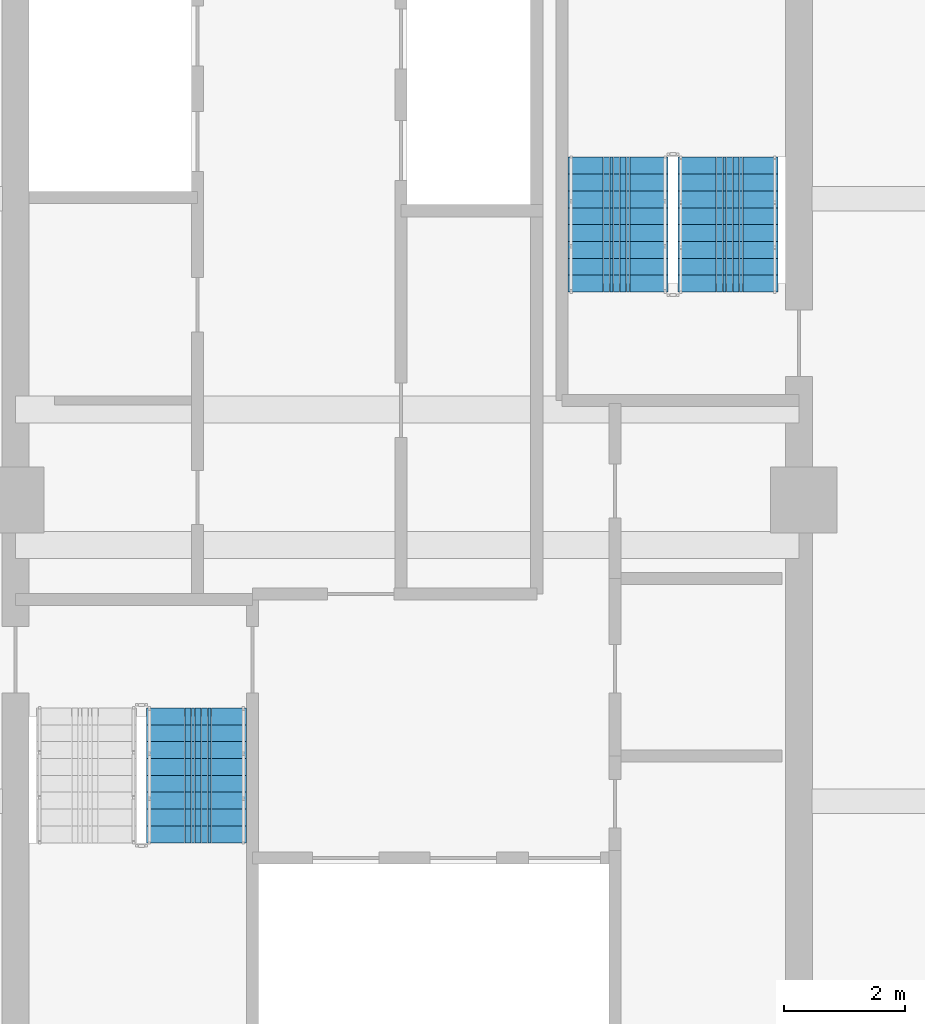
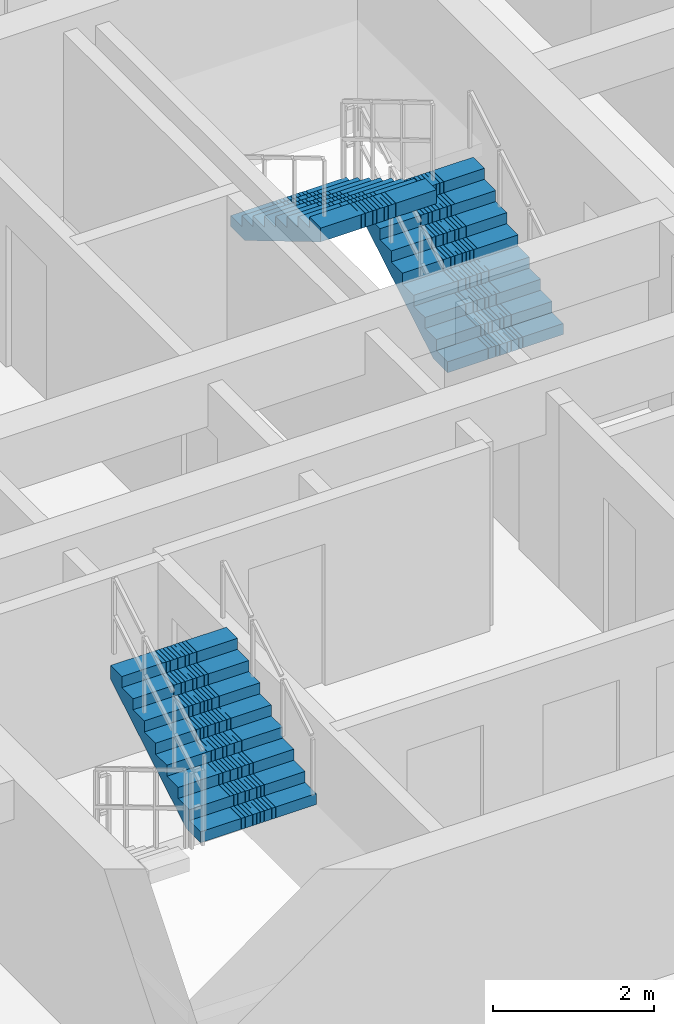
# One storey, part 8 of 13: 3 stair flights, 2 elements without a shape of their own.
"""IFC4 building model written with IfcOpenShell, lengths in metres."""

import ifcopenshell
import ifcopenshell.guid

model = None  # the IFC model being written
_history = None  # IfcOwnerHistory: only IFC2X3 demands one
_inside = {}  # id of a spatial element -> (the spatial element, [elements in it])
_under = {}  # id of a project, library or spatial element -> (it, [spatial elements below it])
_declared = {}  # id of a project -> (the project, [libraries it declares])
_typed = {}  # id of a type object -> (the type object, [elements of that type])
_made_of = {}  # id of a material, layer set ... -> (it, [elements and type objects made of it])


def new_model(schema):
    """Start an empty IFC model of exactly this schema.

    Asked for "IFC4X3", IfcOpenShell would pick the latest addendum, in which some entities
    have other attributes; the version numbers below select the first issue.
    IFC2X3 requires an IfcOwnerHistory on every rooted entity: one is made here for all.
    """
    global model, _history
    if schema == "IFC4X3":
        model = ifcopenshell.file(schema_version=(4, 3, 0, 0))
    else:
        model = ifcopenshell.file(schema=schema)
    _inside.clear()
    _under.clear()
    _declared.clear()
    _typed.clear()
    _made_of.clear()
    _history = None
    if model.schema == "IFC2X3":
        org = make("IfcOrganization", Name="unknown")
        user = make(
            "IfcPersonAndOrganization",
            ThePerson=make("IfcPerson", FamilyName="unknown"),
            TheOrganization=org,
        )
        app = make(
            "IfcApplication",
            ApplicationDeveloper=org,
            Version="unknown",
            ApplicationFullName="unknown",
            ApplicationIdentifier="unknown",
        )
        _history = make(
            "IfcOwnerHistory",
            OwningUser=user,
            OwningApplication=app,
            ChangeAction="ADDED",
            CreationDate=0,
        )
    return model


def make(cls, **values):
    """One entity of the class cls with the attributes given. An attribute that is None is left unset."""
    return model.create_entity(
        cls, **{name: value for name, value in values.items() if value is not None}
    )


def rooted(cls, **values):
    """An entity with a GlobalId (a new one), such as an element, a storey or a relation."""
    return make(cls, GlobalId=ifcopenshell.guid.new(), OwnerHistory=_history, **values)


def si_unit(unit_type, name, prefix=None):
    """IfcSIUnit, for example si_unit("LENGTHUNIT", "METRE", prefix="MILLI")."""
    return make("IfcSIUnit", UnitType=unit_type, Prefix=prefix, Name=name)


def assignment(units):
    """IfcUnitAssignment: the units of a project."""
    return None if units is None else make("IfcUnitAssignment", Units=units)


def point(xyz):
    """IfcCartesianPoint."""
    return None if xyz is None else make("IfcCartesianPoint", Coordinates=xyz)


def direction(xyz):
    """IfcDirection."""
    return None if xyz is None else make("IfcDirection", DirectionRatios=xyz)


def frame(location, z_axis=None, x_axis=None):
    """IfcAxis2Placement3D, a coordinate frame: its origin and axes. An axis left out is left unset."""
    return make(
        "IfcAxis2Placement3D",
        Location=point(location),
        Axis=direction(z_axis),
        RefDirection=direction(x_axis),
    )


def origin():
    """The frame at (0, 0, 0) with its axes left unset."""
    return frame((0.0, 0.0, 0.0))


def place(relative_to, where):
    """IfcLocalPlacement: puts the frame where relative to a parent placement (None: the world)."""
    return make(
        "IfcLocalPlacement", PlacementRelTo=relative_to, RelativePlacement=where
    )


def context(
    kind, dimensions, precision=None, world=None, true_north=None, identifier=None
):
    """IfcGeometricRepresentationContext, for example the 3D "Model" context."""
    return make(
        "IfcGeometricRepresentationContext",
        ContextIdentifier=identifier,
        ContextType=kind,
        CoordinateSpaceDimension=dimensions,
        Precision=precision,
        WorldCoordinateSystem=world,
        TrueNorth=true_north,
    )


def subcontext(parent, identifier, kind, view, scale=None):
    """IfcGeometricRepresentationSubContext, for example "Body" below "Model"."""
    return make(
        "IfcGeometricRepresentationSubContext",
        ContextIdentifier=identifier,
        ContextType=kind,
        ParentContext=parent,
        TargetScale=scale,
        TargetView=view,
    )


def project(units=None, contexts=None):
    """IfcProject with its units and contexts."""
    return rooted(
        "IfcProject",
        Name="project",
        RepresentationContexts=contexts,
        UnitsInContext=assignment(units),
    )


def spatial(cls, under=None, at=None, **own):
    """A site, building, storey or space (cls), placed at a placement, below another one or the project."""
    s = rooted(cls, ObjectPlacement=at, **own)
    if under is not None:
        _under.setdefault(under.id(), (under, []))[1].append(s)
    return s


def polyline(points):
    """IfcPolyline through the points."""
    return make("IfcPolyline", Points=[point(p) for p in points])


def outline(outer, holes=None, kind="AREA"):
    """IfcArbitraryClosedProfileDef: a profile drawn as a closed curve; with holes, ...WithVoids."""
    if holes is None:
        return make("IfcArbitraryClosedProfileDef", ProfileType=kind, OuterCurve=outer)
    return make(
        "IfcArbitraryProfileDefWithVoids",
        ProfileType=kind,
        OuterCurve=outer,
        InnerCurves=holes,
    )


def extrude(swept, where, along, depth):
    """IfcExtrudedAreaSolid: the profile swept, set in the frame where, extruded along a direction by depth."""
    return make(
        "IfcExtrudedAreaSolid",
        SweptArea=swept,
        Position=where,
        ExtrudedDirection=direction(along),
        Depth=depth,
    )


def shape(context_of_items, identifier, shape_type, items):
    """IfcShapeRepresentation: the items that make up one representation, for example the "Body"."""
    return make(
        "IfcShapeRepresentation",
        ContextOfItems=context_of_items,
        RepresentationIdentifier=identifier,
        RepresentationType=shape_type,
        Items=items,
    )


def material(Name=None, Category=None):
    """IfcMaterial."""
    return make("IfcMaterial", Name=Name, Category=Category)


def made_of(thing, what):
    """Note that an element or type object is made of a material, layer set ...; save() writes the relation."""
    if what is not None:
        _made_of.setdefault(what.id(), (what, []))[1].append(thing)
    return thing


def type_object(cls, material=None, **own):
    """A type object (cls), such as IfcWallType, which elements share."""
    return made_of(rooted(cls, **own), material)


def element(
    cls,
    number,
    at=None,
    inside=None,
    cuts=None,
    type_object=None,
    material=None,
    context=None,
    identifier="Body",
    shape_type=None,
    held_by="IfcProductDefinitionShape",
    body=None,
    shapes=None,
    **own,
):
    """One element of the class cls, such as IfcWall. Its Tag is "e" and its number.

    at: its placement. inside: the storey or other place that contains it. cuts: it is an
    opening in that element (IfcRelVoidsElement). A single representation is given by context,
    identifier, shape_type and body (its items); several are given by shapes. held_by: the class
    of the entity that holds the representations. save() writes the other relations.
    """
    e = rooted(cls, Tag="e%d" % number, ObjectPlacement=at, **own)
    if body is not None:
        shapes = [shape(context, identifier, shape_type, body)]
    if shapes is not None:
        e.Representation = make(held_by, Representations=shapes)
    if inside is not None:
        _inside.setdefault(inside.id(), (inside, []))[1].append(e)
    if cuts is not None:
        rooted(
            "IfcRelVoidsElement", RelatingBuildingElement=cuts, RelatedOpeningElement=e
        )
    if type_object is not None:
        _typed.setdefault(type_object.id(), (type_object, []))[1].append(e)
    return made_of(e, material)


def aggregate(whole, parts):
    """IfcRelAggregates: a whole, such as a stair, and the parts it consists of."""
    return rooted("IfcRelAggregates", RelatingObject=whole, RelatedObjects=parts)


def save(model, path):
    """Write the relations noted so far, then the file.

    IfcRelAggregates (storeys below a building ...), IfcRelContainedInSpatialStructure (elements
    in a storey), IfcRelDefinesByType, IfcRelAssociatesMaterial and IfcRelDeclares: one each for
    every whole, place, type object, material and project.
    """
    for whole, parts in _under.values():
        aggregate(whole, parts)
    for where, things in _inside.values():
        rooted(
            "IfcRelContainedInSpatialStructure",
            RelatedElements=things,
            RelatingStructure=where,
        )
    for kind, things in _typed.values():
        rooted("IfcRelDefinesByType", RelatedObjects=things, RelatingType=kind)
    for what, things in _made_of.values():
        rooted("IfcRelAssociatesMaterial", RelatedObjects=things, RelatingMaterial=what)
    for by, libraries in _declared.values():
        rooted("IfcRelDeclares", RelatingContext=by, RelatedDefinitions=libraries)
    model.write(path)


model = new_model("IFC4")

# Units and contexts
model_context = context("Model", 3, precision=1e-05, world=origin(), true_north=direction((0.0, 1.0)))
body_context = subcontext(model_context, "Body", "Model", "MODEL_VIEW")
ifc_project = project(units=[si_unit("LENGTHUNIT", "METRE"), si_unit("AREAUNIT", "SQUARE_METRE"), si_unit("VOLUMEUNIT", "CUBIC_METRE"), si_unit("PLANEANGLEUNIT", "RADIAN"), si_unit("MASSUNIT", "GRAM", prefix="KILO")], contexts=[model_context])

# Site, building, storey
site_placement = place(None, origin())
site = spatial("IfcSite", under=ifc_project, at=site_placement, CompositionType="ELEMENT")
building_placement = place(site_placement, origin())
building = spatial("IfcBuilding", under=site, at=building_placement, Name="Saelheon Loggia Tower", CompositionType="ELEMENT")
storey_placement = place(building_placement, frame((0.0, 0.0, 199.60009765625)))
storey = spatial("IfcBuildingStorey", under=building, at=storey_placement, Name="L62", CompositionType="ELEMENT", Elevation=199.60009765625)

# Stair, stair flight
ifc_material = material(Name="Concrete C40/50", Category="concrete")
stair_type = type_object("IfcStairType", Name="Stair_Escape_Core", PredefinedType="HALF_TURN_STAIR", material=ifc_material)
stair_1_placement = place(storey_placement, origin())
stair_1 = element("IfcStair", 1, at=stair_1_placement, inside=storey, type_object=stair_type, Name="L62 Special Escape Stair ST1", PredefinedType="HALF_TURN_STAIR")
stair_flight_type = type_object("IfcStairFlightType", Name="StairFlight_Tower_1660", PredefinedType="STRAIGHT", material=ifc_material)
stair_flight_1_placement = place(storey_placement, frame((34.5, 21.31005859375, 1.5), z_axis=(0.0, 0.0, 1.0), x_axis=(0.0, 1.0, 0.0)))
stair_flight_1 = element("IfcStairFlight", 2, at=stair_flight_1_placement, type_object=stair_flight_type, Name="ST1 flight 2", NumberOfRisers=9, NumberOfTreads=8, PredefinedType="STRAIGHT", RiserHeight=0.166666667, TreadLength=0.28, context=body_context, shape_type="SweptSolid", body=[
    extrude(outline(polyline([(0.0, 0.0), (0.0, 0.166748046875), (0.280029296875, 0.166748046875), (0.280029296875, 0.333251953125), (0.56005859375, 0.333251953125), (0.56005859375, 0.5), (0.840087890625, 0.5), (0.840087890625, 0.666748046875), (1.1201171875, 0.666748046875), (1.1201171875, 0.833251953125), (1.39990234375, 0.833251953125), (1.39990234375, 1.0), (1.679931640625, 1.0), (1.679931640625, 1.166748046875), (1.9599609375, 1.166748046875), (1.9599609375, 1.333251953125), (2.239990234375, 1.333251953125), (2.239990234375, 1.5), (2.239990234375, 1.1240234375), (0.351806640625, 0.0), (0.0, 0.0)])), frame((0.0, -0.2490234375, 0.0), z_axis=(0.0, -1.0, 0.0), x_axis=(1.0, 0.0, 0.0)), (0.0, 0.0, 1.0), 0.5810546875),
    extrude(outline(polyline([(0.0, 0.0), (0.0, 0.166748046875), (0.280029296875, 0.166748046875), (0.280029296875, 0.333251953125), (0.56005859375, 0.333251953125), (0.56005859375, 0.5), (0.840087890625, 0.5), (0.840087890625, 0.666748046875), (1.1201171875, 0.666748046875), (1.1201171875, 0.833251953125), (1.39990234375, 0.833251953125), (1.39990234375, 1.0), (1.679931640625, 1.0), (1.679931640625, 1.166748046875), (1.9599609375, 1.166748046875), (1.9599609375, 1.333251953125), (2.239990234375, 1.333251953125), (2.239990234375, 1.5), (2.239990234375, 1.1240234375), (0.351806640625, 0.0), (0.0, 0.0)])), frame((0.0, -0.194091796875, 0.0), z_axis=(0.0, -1.0, 0.0), x_axis=(1.0, 0.0, 0.0)), (0.0, 0.0, 1.0), 0.0498046875),
    extrude(outline(polyline([(0.0, 0.0), (0.0, 0.166748046875), (0.280029296875, 0.166748046875), (0.280029296875, 0.333251953125), (0.56005859375, 0.333251953125), (0.56005859375, 0.5), (0.840087890625, 0.5), (0.840087890625, 0.666748046875), (1.1201171875, 0.666748046875), (1.1201171875, 0.833251953125), (1.39990234375, 0.833251953125), (1.39990234375, 1.0), (1.679931640625, 1.0), (1.679931640625, 1.166748046875), (1.9599609375, 1.166748046875), (1.9599609375, 1.333251953125), (2.239990234375, 1.333251953125), (2.239990234375, 1.5), (2.239990234375, 1.1240234375), (0.351806640625, 0.0), (0.0, 0.0)])), frame((0.0, -0.139404296875, 0.0), z_axis=(0.0, -1.0, 0.0), x_axis=(1.0, 0.0, 0.0)), (0.0, 0.0, 1.0), 0.0498046875),
    extrude(outline(polyline([(0.0, 0.0), (0.0, 0.166748046875), (0.280029296875, 0.166748046875), (0.280029296875, 0.333251953125), (0.56005859375, 0.333251953125), (0.56005859375, 0.5), (0.840087890625, 0.5), (0.840087890625, 0.666748046875), (1.1201171875, 0.666748046875), (1.1201171875, 0.833251953125), (1.39990234375, 0.833251953125), (1.39990234375, 1.0), (1.679931640625, 1.0), (1.679931640625, 1.166748046875), (1.9599609375, 1.166748046875), (1.9599609375, 1.333251953125), (2.239990234375, 1.333251953125), (2.239990234375, 1.5), (2.239990234375, 1.1240234375), (0.351806640625, 0.0), (0.0, 0.0)])), frame((0.0, -0.084716796875, 0.0), z_axis=(0.0, -1.0, 0.0), x_axis=(1.0, 0.0, 0.0)), (0.0, 0.0, 1.0), 0.0498046875),
    extrude(outline(polyline([(0.0, 0.0), (0.0, 0.166748046875), (0.280029296875, 0.166748046875), (0.280029296875, 0.333251953125), (0.56005859375, 0.333251953125), (0.56005859375, 0.5), (0.840087890625, 0.5), (0.840087890625, 0.666748046875), (1.1201171875, 0.666748046875), (1.1201171875, 0.833251953125), (1.39990234375, 0.833251953125), (1.39990234375, 1.0), (1.679931640625, 1.0), (1.679931640625, 1.166748046875), (1.9599609375, 1.166748046875), (1.9599609375, 1.333251953125), (2.239990234375, 1.333251953125), (2.239990234375, 1.5), (2.239990234375, 1.1240234375), (0.351806640625, 0.0), (0.0, 0.0)])), frame((0.0, -0.02978515625, 0.0), z_axis=(0.0, -1.0, 0.0), x_axis=(1.0, 0.0, 0.0)), (0.0, 0.0, 1.0), 0.0498046875),
    extrude(outline(polyline([(0.0, 0.0), (0.0, 0.166748046875), (0.280029296875, 0.166748046875), (0.280029296875, 0.333251953125), (0.56005859375, 0.333251953125), (0.56005859375, 0.5), (0.840087890625, 0.5), (0.840087890625, 0.666748046875), (1.1201171875, 0.666748046875), (1.1201171875, 0.833251953125), (1.39990234375, 0.833251953125), (1.39990234375, 1.0), (1.679931640625, 1.0), (1.679931640625, 1.166748046875), (1.9599609375, 1.166748046875), (1.9599609375, 1.333251953125), (2.239990234375, 1.333251953125), (2.239990234375, 1.5), (2.239990234375, 1.1240234375), (0.351806640625, 0.0), (0.0, 0.0)])), frame((0.0, 0.02490234375, 0.0), z_axis=(0.0, -1.0, 0.0), x_axis=(1.0, 0.0, 0.0)), (0.0, 0.0, 1.0), 0.0498046875),
    extrude(outline(polyline([(0.0, 0.0), (0.0, 0.166748046875), (0.280029296875, 0.166748046875), (0.280029296875, 0.333251953125), (0.56005859375, 0.333251953125), (0.56005859375, 0.5), (0.840087890625, 0.5), (0.840087890625, 0.666748046875), (1.1201171875, 0.666748046875), (1.1201171875, 0.833251953125), (1.39990234375, 0.833251953125), (1.39990234375, 1.0), (1.679931640625, 1.0), (1.679931640625, 1.166748046875), (1.9599609375, 1.166748046875), (1.9599609375, 1.333251953125), (2.239990234375, 1.333251953125), (2.239990234375, 1.5), (2.239990234375, 1.1240234375), (0.351806640625, 0.0), (0.0, 0.0)])), frame((0.0, 0.07958984375, 0.0), z_axis=(0.0, -1.0, 0.0), x_axis=(1.0, 0.0, 0.0)), (0.0, 0.0, 1.0), 0.0498046875),
    extrude(outline(polyline([(0.0, 0.0), (0.0, 0.166748046875), (0.280029296875, 0.166748046875), (0.280029296875, 0.333251953125), (0.56005859375, 0.333251953125), (0.56005859375, 0.5), (0.840087890625, 0.5), (0.840087890625, 0.666748046875), (1.1201171875, 0.666748046875), (1.1201171875, 0.833251953125), (1.39990234375, 0.833251953125), (1.39990234375, 1.0), (1.679931640625, 1.0), (1.679931640625, 1.166748046875), (1.9599609375, 1.166748046875), (1.9599609375, 1.333251953125), (2.239990234375, 1.333251953125), (2.239990234375, 1.5), (2.239990234375, 1.1240234375), (0.351806640625, 0.0), (0.0, 0.0)])), frame((0.0, 0.134521484375, 0.0), z_axis=(0.0, -1.0, 0.0), x_axis=(1.0, 0.0, 0.0)), (0.0, 0.0, 1.0), 0.0498046875),
    extrude(outline(polyline([(0.0, 0.0), (0.0, 0.166748046875), (0.280029296875, 0.166748046875), (0.280029296875, 0.333251953125), (0.56005859375, 0.333251953125), (0.56005859375, 0.5), (0.840087890625, 0.5), (0.840087890625, 0.666748046875), (1.1201171875, 0.666748046875), (1.1201171875, 0.833251953125), (1.39990234375, 0.833251953125), (1.39990234375, 1.0), (1.679931640625, 1.0), (1.679931640625, 1.166748046875), (1.9599609375, 1.166748046875), (1.9599609375, 1.333251953125), (2.239990234375, 1.333251953125), (2.239990234375, 1.5), (2.239990234375, 1.1240234375), (0.351806640625, 0.0), (0.0, 0.0)])), frame((0.0, 0.189208984375, 0.0), z_axis=(0.0, -1.0, 0.0), x_axis=(1.0, 0.0, 0.0)), (0.0, 0.0, 1.0), 0.0498046875),
    extrude(outline(polyline([(0.0, 0.0), (0.0, 0.166748046875), (0.280029296875, 0.166748046875), (0.280029296875, 0.333251953125), (0.56005859375, 0.333251953125), (0.56005859375, 0.5), (0.840087890625, 0.5), (0.840087890625, 0.666748046875), (1.1201171875, 0.666748046875), (1.1201171875, 0.833251953125), (1.39990234375, 0.833251953125), (1.39990234375, 1.0), (1.679931640625, 1.0), (1.679931640625, 1.166748046875), (1.9599609375, 1.166748046875), (1.9599609375, 1.333251953125), (2.239990234375, 1.333251953125), (2.239990234375, 1.5), (2.239990234375, 1.1240234375), (0.351806640625, 0.0), (0.0, 0.0)])), frame((0.0, 0.243896484375, 0.0), z_axis=(0.0, -1.0, 0.0), x_axis=(1.0, 0.0, 0.0)), (0.0, 0.0, 1.0), 0.0498046875),
    extrude(outline(polyline([(0.0, 0.0), (0.0, 0.166748046875), (0.280029296875, 0.166748046875), (0.280029296875, 0.333251953125), (0.56005859375, 0.333251953125), (0.56005859375, 0.5), (0.840087890625, 0.5), (0.840087890625, 0.666748046875), (1.1201171875, 0.666748046875), (1.1201171875, 0.833251953125), (1.39990234375, 0.833251953125), (1.39990234375, 1.0), (1.679931640625, 1.0), (1.679931640625, 1.166748046875), (1.9599609375, 1.166748046875), (1.9599609375, 1.333251953125), (2.239990234375, 1.333251953125), (2.239990234375, 1.5), (2.239990234375, 1.1240234375), (0.351806640625, 0.0), (0.0, 0.0)])), frame((0.0, 0.830078125, 0.0), z_axis=(0.0, -1.0, 0.0), x_axis=(1.0, 0.0, 0.0)), (0.0, 0.0, 1.0), 0.5810546875),
])
aggregate(stair_1, [stair_flight_1])

# Stair, stair flights
stair_2_placement = place(storey_placement, origin())
stair_2 = element("IfcStair", 3, at=stair_2_placement, inside=storey, type_object=stair_type, Name="L62 Special Escape Stair ST2", PredefinedType="HALF_TURN_STAIR")
stair_flight_2_placement = place(storey_placement, frame((43.320068359375, 30.449951171875, 0.0), z_axis=(0.0, 0.0, 1.0), x_axis=(0.0, 1.0, 0.0)))
stair_flight_2 = element("IfcStairFlight", 4, at=stair_flight_2_placement, type_object=stair_flight_type, Name="ST2 flight 1", NumberOfRisers=9, NumberOfTreads=8, PredefinedType="STRAIGHT", RiserHeight=0.166666667, TreadLength=0.28, context=body_context, shape_type="SweptSolid", body=[
    extrude(outline(polyline([(0.0, 0.0), (0.0, 0.166748046875), (0.280029296875, 0.166748046875), (0.280029296875, 0.333251953125), (0.56005859375, 0.333251953125), (0.56005859375, 0.5), (0.840087890625, 0.5), (0.840087890625, 0.666748046875), (1.1201171875, 0.666748046875), (1.1201171875, 0.833251953125), (1.39990234375, 0.833251953125), (1.39990234375, 1.0), (1.679931640625, 1.0), (1.679931640625, 1.166748046875), (1.9599609375, 1.166748046875), (1.9599609375, 1.333251953125), (2.239990234375, 1.333251953125), (2.239990234375, 1.5), (2.239990234375, 1.1240234375), (0.351806640625, 0.0), (0.0, 0.0)])), frame((0.0, -0.2490234375, 0.0), z_axis=(0.0, -1.0, 0.0), x_axis=(1.0, 0.0, 0.0)), (0.0, 0.0, 1.0), 0.5810546875),
    extrude(outline(polyline([(0.0, 0.0), (0.0, 0.166748046875), (0.280029296875, 0.166748046875), (0.280029296875, 0.333251953125), (0.56005859375, 0.333251953125), (0.56005859375, 0.5), (0.840087890625, 0.5), (0.840087890625, 0.666748046875), (1.1201171875, 0.666748046875), (1.1201171875, 0.833251953125), (1.39990234375, 0.833251953125), (1.39990234375, 1.0), (1.679931640625, 1.0), (1.679931640625, 1.166748046875), (1.9599609375, 1.166748046875), (1.9599609375, 1.333251953125), (2.239990234375, 1.333251953125), (2.239990234375, 1.5), (2.239990234375, 1.1240234375), (0.351806640625, 0.0), (0.0, 0.0)])), frame((0.0, -0.194091796875, 0.0), z_axis=(0.0, -1.0, 0.0), x_axis=(1.0, 0.0, 0.0)), (0.0, 0.0, 1.0), 0.0498046875),
    extrude(outline(polyline([(0.0, 0.0), (0.0, 0.166748046875), (0.280029296875, 0.166748046875), (0.280029296875, 0.333251953125), (0.56005859375, 0.333251953125), (0.56005859375, 0.5), (0.840087890625, 0.5), (0.840087890625, 0.666748046875), (1.1201171875, 0.666748046875), (1.1201171875, 0.833251953125), (1.39990234375, 0.833251953125), (1.39990234375, 1.0), (1.679931640625, 1.0), (1.679931640625, 1.166748046875), (1.9599609375, 1.166748046875), (1.9599609375, 1.333251953125), (2.239990234375, 1.333251953125), (2.239990234375, 1.5), (2.239990234375, 1.1240234375), (0.351806640625, 0.0), (0.0, 0.0)])), frame((0.0, -0.139404296875, 0.0), z_axis=(0.0, -1.0, 0.0), x_axis=(1.0, 0.0, 0.0)), (0.0, 0.0, 1.0), 0.0498046875),
    extrude(outline(polyline([(0.0, 0.0), (0.0, 0.166748046875), (0.280029296875, 0.166748046875), (0.280029296875, 0.333251953125), (0.56005859375, 0.333251953125), (0.56005859375, 0.5), (0.840087890625, 0.5), (0.840087890625, 0.666748046875), (1.1201171875, 0.666748046875), (1.1201171875, 0.833251953125), (1.39990234375, 0.833251953125), (1.39990234375, 1.0), (1.679931640625, 1.0), (1.679931640625, 1.166748046875), (1.9599609375, 1.166748046875), (1.9599609375, 1.333251953125), (2.239990234375, 1.333251953125), (2.239990234375, 1.5), (2.239990234375, 1.1240234375), (0.351806640625, 0.0), (0.0, 0.0)])), frame((0.0, -0.084716796875, 0.0), z_axis=(0.0, -1.0, 0.0), x_axis=(1.0, 0.0, 0.0)), (0.0, 0.0, 1.0), 0.0498046875),
    extrude(outline(polyline([(0.0, 0.0), (0.0, 0.166748046875), (0.280029296875, 0.166748046875), (0.280029296875, 0.333251953125), (0.56005859375, 0.333251953125), (0.56005859375, 0.5), (0.840087890625, 0.5), (0.840087890625, 0.666748046875), (1.1201171875, 0.666748046875), (1.1201171875, 0.833251953125), (1.39990234375, 0.833251953125), (1.39990234375, 1.0), (1.679931640625, 1.0), (1.679931640625, 1.166748046875), (1.9599609375, 1.166748046875), (1.9599609375, 1.333251953125), (2.239990234375, 1.333251953125), (2.239990234375, 1.5), (2.239990234375, 1.1240234375), (0.351806640625, 0.0), (0.0, 0.0)])), frame((0.0, -0.02978515625, 0.0), z_axis=(0.0, -1.0, 0.0), x_axis=(1.0, 0.0, 0.0)), (0.0, 0.0, 1.0), 0.0498046875),
    extrude(outline(polyline([(0.0, 0.0), (0.0, 0.166748046875), (0.280029296875, 0.166748046875), (0.280029296875, 0.333251953125), (0.56005859375, 0.333251953125), (0.56005859375, 0.5), (0.840087890625, 0.5), (0.840087890625, 0.666748046875), (1.1201171875, 0.666748046875), (1.1201171875, 0.833251953125), (1.39990234375, 0.833251953125), (1.39990234375, 1.0), (1.679931640625, 1.0), (1.679931640625, 1.166748046875), (1.9599609375, 1.166748046875), (1.9599609375, 1.333251953125), (2.239990234375, 1.333251953125), (2.239990234375, 1.5), (2.239990234375, 1.1240234375), (0.351806640625, 0.0), (0.0, 0.0)])), frame((0.0, 0.02490234375, 0.0), z_axis=(0.0, -1.0, 0.0), x_axis=(1.0, 0.0, 0.0)), (0.0, 0.0, 1.0), 0.0498046875),
    extrude(outline(polyline([(0.0, 0.0), (0.0, 0.166748046875), (0.280029296875, 0.166748046875), (0.280029296875, 0.333251953125), (0.56005859375, 0.333251953125), (0.56005859375, 0.5), (0.840087890625, 0.5), (0.840087890625, 0.666748046875), (1.1201171875, 0.666748046875), (1.1201171875, 0.833251953125), (1.39990234375, 0.833251953125), (1.39990234375, 1.0), (1.679931640625, 1.0), (1.679931640625, 1.166748046875), (1.9599609375, 1.166748046875), (1.9599609375, 1.333251953125), (2.239990234375, 1.333251953125), (2.239990234375, 1.5), (2.239990234375, 1.1240234375), (0.351806640625, 0.0), (0.0, 0.0)])), frame((0.0, 0.07958984375, 0.0), z_axis=(0.0, -1.0, 0.0), x_axis=(1.0, 0.0, 0.0)), (0.0, 0.0, 1.0), 0.0498046875),
    extrude(outline(polyline([(0.0, 0.0), (0.0, 0.166748046875), (0.280029296875, 0.166748046875), (0.280029296875, 0.333251953125), (0.56005859375, 0.333251953125), (0.56005859375, 0.5), (0.840087890625, 0.5), (0.840087890625, 0.666748046875), (1.1201171875, 0.666748046875), (1.1201171875, 0.833251953125), (1.39990234375, 0.833251953125), (1.39990234375, 1.0), (1.679931640625, 1.0), (1.679931640625, 1.166748046875), (1.9599609375, 1.166748046875), (1.9599609375, 1.333251953125), (2.239990234375, 1.333251953125), (2.239990234375, 1.5), (2.239990234375, 1.1240234375), (0.351806640625, 0.0), (0.0, 0.0)])), frame((0.0, 0.134521484375, 0.0), z_axis=(0.0, -1.0, 0.0), x_axis=(1.0, 0.0, 0.0)), (0.0, 0.0, 1.0), 0.0498046875),
    extrude(outline(polyline([(0.0, 0.0), (0.0, 0.166748046875), (0.280029296875, 0.166748046875), (0.280029296875, 0.333251953125), (0.56005859375, 0.333251953125), (0.56005859375, 0.5), (0.840087890625, 0.5), (0.840087890625, 0.666748046875), (1.1201171875, 0.666748046875), (1.1201171875, 0.833251953125), (1.39990234375, 0.833251953125), (1.39990234375, 1.0), (1.679931640625, 1.0), (1.679931640625, 1.166748046875), (1.9599609375, 1.166748046875), (1.9599609375, 1.333251953125), (2.239990234375, 1.333251953125), (2.239990234375, 1.5), (2.239990234375, 1.1240234375), (0.351806640625, 0.0), (0.0, 0.0)])), frame((0.0, 0.189208984375, 0.0), z_axis=(0.0, -1.0, 0.0), x_axis=(1.0, 0.0, 0.0)), (0.0, 0.0, 1.0), 0.0498046875),
    extrude(outline(polyline([(0.0, 0.0), (0.0, 0.166748046875), (0.280029296875, 0.166748046875), (0.280029296875, 0.333251953125), (0.56005859375, 0.333251953125), (0.56005859375, 0.5), (0.840087890625, 0.5), (0.840087890625, 0.666748046875), (1.1201171875, 0.666748046875), (1.1201171875, 0.833251953125), (1.39990234375, 0.833251953125), (1.39990234375, 1.0), (1.679931640625, 1.0), (1.679931640625, 1.166748046875), (1.9599609375, 1.166748046875), (1.9599609375, 1.333251953125), (2.239990234375, 1.333251953125), (2.239990234375, 1.5), (2.239990234375, 1.1240234375), (0.351806640625, 0.0), (0.0, 0.0)])), frame((0.0, 0.243896484375, 0.0), z_axis=(0.0, -1.0, 0.0), x_axis=(1.0, 0.0, 0.0)), (0.0, 0.0, 1.0), 0.0498046875),
    extrude(outline(polyline([(0.0, 0.0), (0.0, 0.166748046875), (0.280029296875, 0.166748046875), (0.280029296875, 0.333251953125), (0.56005859375, 0.333251953125), (0.56005859375, 0.5), (0.840087890625, 0.5), (0.840087890625, 0.666748046875), (1.1201171875, 0.666748046875), (1.1201171875, 0.833251953125), (1.39990234375, 0.833251953125), (1.39990234375, 1.0), (1.679931640625, 1.0), (1.679931640625, 1.166748046875), (1.9599609375, 1.166748046875), (1.9599609375, 1.333251953125), (2.239990234375, 1.333251953125), (2.239990234375, 1.5), (2.239990234375, 1.1240234375), (0.351806640625, 0.0), (0.0, 0.0)])), frame((0.0, 0.830078125, 0.0), z_axis=(0.0, -1.0, 0.0), x_axis=(1.0, 0.0, 0.0)), (0.0, 0.0, 1.0), 0.5810546875),
])
stair_flight_3_placement = place(storey_placement, frame((41.5, 32.68994140625, 1.5), z_axis=(0.0, 0.0, 1.0), x_axis=(0.0, -1.0, 0.0)))
stair_flight_3 = element("IfcStairFlight", 5, at=stair_flight_3_placement, type_object=stair_flight_type, Name="ST2 flight 2", NumberOfRisers=9, NumberOfTreads=8, PredefinedType="STRAIGHT", RiserHeight=0.166666667, TreadLength=0.28, context=body_context, shape_type="SweptSolid", body=[
    extrude(outline(polyline([(0.0, 0.0), (0.0, 0.166748046875), (0.280029296875, 0.166748046875), (0.280029296875, 0.333251953125), (0.56005859375, 0.333251953125), (0.56005859375, 0.5), (0.840087890625, 0.5), (0.840087890625, 0.666748046875), (1.1201171875, 0.666748046875), (1.1201171875, 0.833251953125), (1.39990234375, 0.833251953125), (1.39990234375, 1.0), (1.679931640625, 1.0), (1.679931640625, 1.166748046875), (1.9599609375, 1.166748046875), (1.9599609375, 1.333251953125), (2.239990234375, 1.333251953125), (2.239990234375, 1.5), (2.239990234375, 1.1240234375), (0.351806640625, 0.0), (0.0, 0.0)])), frame((0.0, -0.2490234375, 0.0), z_axis=(0.0, -1.0, 0.0), x_axis=(1.0, 0.0, 0.0)), (0.0, 0.0, 1.0), 0.5810546875),
    extrude(outline(polyline([(0.0, 0.0), (0.0, 0.166748046875), (0.280029296875, 0.166748046875), (0.280029296875, 0.333251953125), (0.56005859375, 0.333251953125), (0.56005859375, 0.5), (0.840087890625, 0.5), (0.840087890625, 0.666748046875), (1.1201171875, 0.666748046875), (1.1201171875, 0.833251953125), (1.39990234375, 0.833251953125), (1.39990234375, 1.0), (1.679931640625, 1.0), (1.679931640625, 1.166748046875), (1.9599609375, 1.166748046875), (1.9599609375, 1.333251953125), (2.239990234375, 1.333251953125), (2.239990234375, 1.5), (2.239990234375, 1.1240234375), (0.351806640625, 0.0), (0.0, 0.0)])), frame((0.0, -0.194091796875, 0.0), z_axis=(0.0, -1.0, 0.0), x_axis=(1.0, 0.0, 0.0)), (0.0, 0.0, 1.0), 0.0498046875),
    extrude(outline(polyline([(0.0, 0.0), (0.0, 0.166748046875), (0.280029296875, 0.166748046875), (0.280029296875, 0.333251953125), (0.56005859375, 0.333251953125), (0.56005859375, 0.5), (0.840087890625, 0.5), (0.840087890625, 0.666748046875), (1.1201171875, 0.666748046875), (1.1201171875, 0.833251953125), (1.39990234375, 0.833251953125), (1.39990234375, 1.0), (1.679931640625, 1.0), (1.679931640625, 1.166748046875), (1.9599609375, 1.166748046875), (1.9599609375, 1.333251953125), (2.239990234375, 1.333251953125), (2.239990234375, 1.5), (2.239990234375, 1.1240234375), (0.351806640625, 0.0), (0.0, 0.0)])), frame((0.0, -0.139404296875, 0.0), z_axis=(0.0, -1.0, 0.0), x_axis=(1.0, 0.0, 0.0)), (0.0, 0.0, 1.0), 0.0498046875),
    extrude(outline(polyline([(0.0, 0.0), (0.0, 0.166748046875), (0.280029296875, 0.166748046875), (0.280029296875, 0.333251953125), (0.56005859375, 0.333251953125), (0.56005859375, 0.5), (0.840087890625, 0.5), (0.840087890625, 0.666748046875), (1.1201171875, 0.666748046875), (1.1201171875, 0.833251953125), (1.39990234375, 0.833251953125), (1.39990234375, 1.0), (1.679931640625, 1.0), (1.679931640625, 1.166748046875), (1.9599609375, 1.166748046875), (1.9599609375, 1.333251953125), (2.239990234375, 1.333251953125), (2.239990234375, 1.5), (2.239990234375, 1.1240234375), (0.351806640625, 0.0), (0.0, 0.0)])), frame((0.0, -0.084716796875, 0.0), z_axis=(0.0, -1.0, 0.0), x_axis=(1.0, 0.0, 0.0)), (0.0, 0.0, 1.0), 0.0498046875),
    extrude(outline(polyline([(0.0, 0.0), (0.0, 0.166748046875), (0.280029296875, 0.166748046875), (0.280029296875, 0.333251953125), (0.56005859375, 0.333251953125), (0.56005859375, 0.5), (0.840087890625, 0.5), (0.840087890625, 0.666748046875), (1.1201171875, 0.666748046875), (1.1201171875, 0.833251953125), (1.39990234375, 0.833251953125), (1.39990234375, 1.0), (1.679931640625, 1.0), (1.679931640625, 1.166748046875), (1.9599609375, 1.166748046875), (1.9599609375, 1.333251953125), (2.239990234375, 1.333251953125), (2.239990234375, 1.5), (2.239990234375, 1.1240234375), (0.351806640625, 0.0), (0.0, 0.0)])), frame((0.0, -0.02978515625, 0.0), z_axis=(0.0, -1.0, 0.0), x_axis=(1.0, 0.0, 0.0)), (0.0, 0.0, 1.0), 0.0498046875),
    extrude(outline(polyline([(0.0, 0.0), (0.0, 0.166748046875), (0.280029296875, 0.166748046875), (0.280029296875, 0.333251953125), (0.56005859375, 0.333251953125), (0.56005859375, 0.5), (0.840087890625, 0.5), (0.840087890625, 0.666748046875), (1.1201171875, 0.666748046875), (1.1201171875, 0.833251953125), (1.39990234375, 0.833251953125), (1.39990234375, 1.0), (1.679931640625, 1.0), (1.679931640625, 1.166748046875), (1.9599609375, 1.166748046875), (1.9599609375, 1.333251953125), (2.239990234375, 1.333251953125), (2.239990234375, 1.5), (2.239990234375, 1.1240234375), (0.351806640625, 0.0), (0.0, 0.0)])), frame((0.0, 0.02490234375, 0.0), z_axis=(0.0, -1.0, 0.0), x_axis=(1.0, 0.0, 0.0)), (0.0, 0.0, 1.0), 0.0498046875),
    extrude(outline(polyline([(0.0, 0.0), (0.0, 0.166748046875), (0.280029296875, 0.166748046875), (0.280029296875, 0.333251953125), (0.56005859375, 0.333251953125), (0.56005859375, 0.5), (0.840087890625, 0.5), (0.840087890625, 0.666748046875), (1.1201171875, 0.666748046875), (1.1201171875, 0.833251953125), (1.39990234375, 0.833251953125), (1.39990234375, 1.0), (1.679931640625, 1.0), (1.679931640625, 1.166748046875), (1.9599609375, 1.166748046875), (1.9599609375, 1.333251953125), (2.239990234375, 1.333251953125), (2.239990234375, 1.5), (2.239990234375, 1.1240234375), (0.351806640625, 0.0), (0.0, 0.0)])), frame((0.0, 0.07958984375, 0.0), z_axis=(0.0, -1.0, 0.0), x_axis=(1.0, 0.0, 0.0)), (0.0, 0.0, 1.0), 0.0498046875),
    extrude(outline(polyline([(0.0, 0.0), (0.0, 0.166748046875), (0.280029296875, 0.166748046875), (0.280029296875, 0.333251953125), (0.56005859375, 0.333251953125), (0.56005859375, 0.5), (0.840087890625, 0.5), (0.840087890625, 0.666748046875), (1.1201171875, 0.666748046875), (1.1201171875, 0.833251953125), (1.39990234375, 0.833251953125), (1.39990234375, 1.0), (1.679931640625, 1.0), (1.679931640625, 1.166748046875), (1.9599609375, 1.166748046875), (1.9599609375, 1.333251953125), (2.239990234375, 1.333251953125), (2.239990234375, 1.5), (2.239990234375, 1.1240234375), (0.351806640625, 0.0), (0.0, 0.0)])), frame((0.0, 0.134521484375, 0.0), z_axis=(0.0, -1.0, 0.0), x_axis=(1.0, 0.0, 0.0)), (0.0, 0.0, 1.0), 0.0498046875),
    extrude(outline(polyline([(0.0, 0.0), (0.0, 0.166748046875), (0.280029296875, 0.166748046875), (0.280029296875, 0.333251953125), (0.56005859375, 0.333251953125), (0.56005859375, 0.5), (0.840087890625, 0.5), (0.840087890625, 0.666748046875), (1.1201171875, 0.666748046875), (1.1201171875, 0.833251953125), (1.39990234375, 0.833251953125), (1.39990234375, 1.0), (1.679931640625, 1.0), (1.679931640625, 1.166748046875), (1.9599609375, 1.166748046875), (1.9599609375, 1.333251953125), (2.239990234375, 1.333251953125), (2.239990234375, 1.5), (2.239990234375, 1.1240234375), (0.351806640625, 0.0), (0.0, 0.0)])), frame((0.0, 0.189208984375, 0.0), z_axis=(0.0, -1.0, 0.0), x_axis=(1.0, 0.0, 0.0)), (0.0, 0.0, 1.0), 0.0498046875),
    extrude(outline(polyline([(0.0, 0.0), (0.0, 0.166748046875), (0.280029296875, 0.166748046875), (0.280029296875, 0.333251953125), (0.56005859375, 0.333251953125), (0.56005859375, 0.5), (0.840087890625, 0.5), (0.840087890625, 0.666748046875), (1.1201171875, 0.666748046875), (1.1201171875, 0.833251953125), (1.39990234375, 0.833251953125), (1.39990234375, 1.0), (1.679931640625, 1.0), (1.679931640625, 1.166748046875), (1.9599609375, 1.166748046875), (1.9599609375, 1.333251953125), (2.239990234375, 1.333251953125), (2.239990234375, 1.5), (2.239990234375, 1.1240234375), (0.351806640625, 0.0), (0.0, 0.0)])), frame((0.0, 0.243896484375, 0.0), z_axis=(0.0, -1.0, 0.0), x_axis=(1.0, 0.0, 0.0)), (0.0, 0.0, 1.0), 0.0498046875),
    extrude(outline(polyline([(0.0, 0.0), (0.0, 0.166748046875), (0.280029296875, 0.166748046875), (0.280029296875, 0.333251953125), (0.56005859375, 0.333251953125), (0.56005859375, 0.5), (0.840087890625, 0.5), (0.840087890625, 0.666748046875), (1.1201171875, 0.666748046875), (1.1201171875, 0.833251953125), (1.39990234375, 0.833251953125), (1.39990234375, 1.0), (1.679931640625, 1.0), (1.679931640625, 1.166748046875), (1.9599609375, 1.166748046875), (1.9599609375, 1.333251953125), (2.239990234375, 1.333251953125), (2.239990234375, 1.5), (2.239990234375, 1.1240234375), (0.351806640625, 0.0), (0.0, 0.0)])), frame((0.0, 0.830078125, 0.0), z_axis=(0.0, -1.0, 0.0), x_axis=(1.0, 0.0, 0.0)), (0.0, 0.0, 1.0), 0.5810546875),
])
aggregate(stair_2, [stair_flight_2, stair_flight_3])

save(model, "model.ifc")
